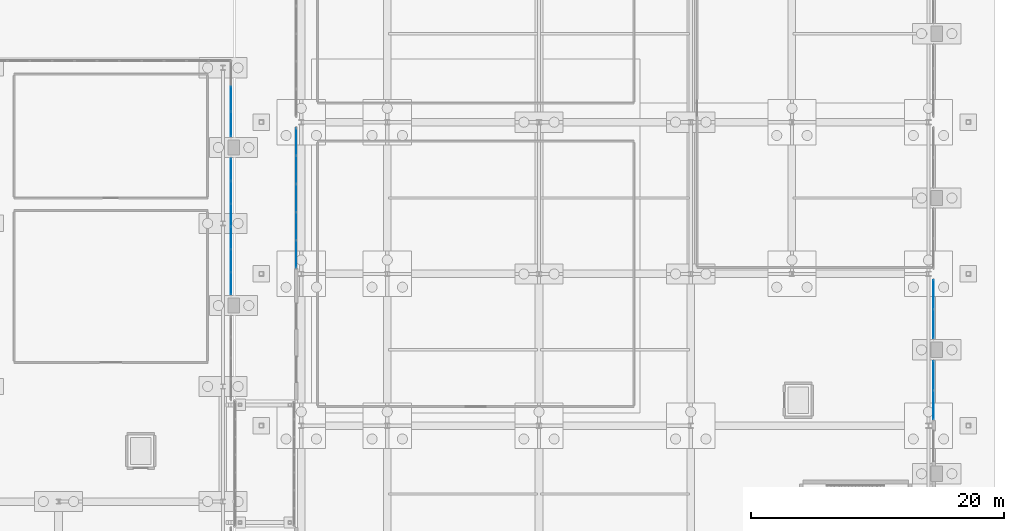
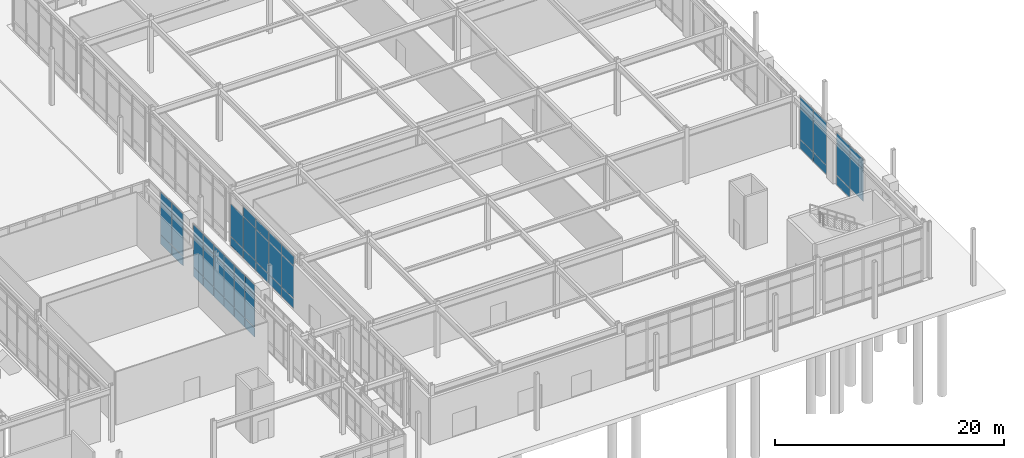
# One storey, part 90 of 143: 49 plates, 5 elements without a shape of their own.
"""IFC4 building model written with IfcOpenShell, lengths in metres."""

from ifc_helpers import new_model, si_unit, derived_unit, direction, frame, origin, origin_2d, place, context, subcontext, project, spatial, rectangle, extrude, material, layer, layer_set, type_object, element, aggregate, save


model = new_model("IFC4")

# Units and contexts
model_context = context("Model", 3, precision=1e-05, world=origin(), true_north=direction((0.0, 1.0)))
body_context = subcontext(model_context, "Body", "Model", "MODEL_VIEW")
ifc_project = project(units=[si_unit("LENGTHUNIT", "METRE"), si_unit("AREAUNIT", "SQUARE_METRE"), si_unit("VOLUMEUNIT", "CUBIC_METRE"), si_unit("PLANEANGLEUNIT", "RADIAN"), si_unit("MASSUNIT", "GRAM", prefix="KILO"), derived_unit("THERMALTRANSMITTANCEUNIT", [(si_unit("MASSUNIT", "GRAM", prefix="KILO"), 1), (si_unit("TIMEUNIT", "SECOND"), -3), (si_unit("THERMODYNAMICTEMPERATUREUNIT", "KELVIN"), -1)])], contexts=[model_context])

# Site, building, storey
site_placement = place(None, origin())
site = spatial("IfcSite", under=ifc_project, at=site_placement, CompositionType="ELEMENT")
building_placement = place(site_placement, origin())
building = spatial("IfcBuilding", under=site, at=building_placement, Name="Valcora Ridge Arena", CompositionType="ELEMENT")
storey_placement = place(building_placement, origin())
storey = spatial("IfcBuildingStorey", under=building, at=storey_placement, Name="L00", CompositionType="ELEMENT", Elevation=0.0)

# Curtain wall, plates
ifc_material_1 = material(Name="Anodised dark bronze architectural aluminium 6063-T6", Category="aluminium")
ifc_layer_1 = layer(ifc_material_1, 0.179931640625, Name="Anodised dark bronze architectural aluminium 6063-T6")
ifc_layer_set_1 = layer_set([ifc_layer_1], Name="Anodised dark bronze architectural aluminium 6063-T6")
curtain_wall_type_1 = type_object("IfcCurtainWallType", Name="TY-CURTAINWALL-CW-V3-LANCET-108X56", PredefinedType="NOTDEFINED", material=ifc_layer_set_1)
curtain_wall_1_placement = place(storey_placement, origin())
curtain_wall_1 = element("IfcCurtainWall", 1, at=curtain_wall_1_placement, inside=storey, type_object=curtain_wall_type_1, Name="CW-V3-LANCET-108X56 CW-0005", PredefinedType="NOTDEFINED")
ifc_material_2 = material(Name="Low-iron solar-control double glazing SHGC 0.28", Category="glass")
ifc_layer_2 = layer(ifc_material_2, 0.031982421875, Name="Low-iron solar-control double glazing SHGC 0.28")
ifc_layer_set_2 = layer_set([ifc_layer_2], Name="Low-iron solar-control double glazing SHGC 0.28")
plate_type_1 = type_object("IfcPlateType", Name="TY-PLT-CWP-1713X0960", PredefinedType="CURTAIN_PANEL", material=ifc_layer_set_2)
plate_1_placement = place(storey_placement, frame((131.64990234375, 27.256591796875, 0.06005859375), z_axis=(0.0, 0.0, 1.0), x_axis=(0.0, 1.0, 0.0)))
plate_1 = element("IfcPlate", 2, at=plate_1_placement, type_object=plate_type_1, Name="CW-0005/P00-00", PredefinedType="CURTAIN_PANEL", context=body_context, shape_type="SweptSolid", body=[
    extrude(rectangle(XDim=1.712890625, YDim=0.031982421875, at=origin_2d()), origin(), (0.0, 0.0, 1.0), 0.9599609375),
])
plate_2_placement = place(storey_placement, frame((131.64990234375, 36.243408203125, 0.06005859375), z_axis=(0.0, 0.0, 1.0), x_axis=(0.0, 1.0, 0.0)))
plate_2 = element("IfcPlate", 3, at=plate_2_placement, type_object=plate_type_1, Name="CW-0005/P05-00", PredefinedType="CURTAIN_PANEL", context=body_context, shape_type="SweptSolid", body=[
    extrude(rectangle(XDim=1.712890625, YDim=0.031982421875, at=origin_2d()), origin(), (0.0, 0.0, 1.0), 0.9599609375),
])
ifc_layer_3 = layer(ifc_material_2, 0.031982421875, Name="Low-iron solar-control double glazing SHGC 0.28")
ifc_layer_set_3 = layer_set([ifc_layer_3], Name="Low-iron solar-control double glazing SHGC 0.28")
plate_type_2 = type_object("IfcPlateType", Name="TY-PLT-CWP-1713X1010", PredefinedType="CURTAIN_PANEL", material=ifc_layer_set_3)
plate_3_placement = place(storey_placement, frame((131.64990234375, 27.256591796875, 4.56982421875), z_axis=(0.0, 0.0, 1.0), x_axis=(0.0, 1.0, 0.0)))
plate_3 = element("IfcPlate", 4, at=plate_3_placement, type_object=plate_type_2, Name="CW-0005/P00-02", PredefinedType="CURTAIN_PANEL", context=body_context, shape_type="SweptSolid", body=[
    extrude(rectangle(XDim=1.712890625, YDim=0.031982421875, at=origin_2d()), origin(), (0.0, 0.0, 1.0), 1.010009765625),
])
plate_4_placement = place(storey_placement, frame((131.64990234375, 36.243408203125, 4.56982421875), z_axis=(0.0, 0.0, 1.0), x_axis=(0.0, 1.0, 0.0)))
plate_4 = element("IfcPlate", 5, at=plate_4_placement, type_object=plate_type_2, Name="CW-0005/P05-02", PredefinedType="CURTAIN_PANEL", context=body_context, shape_type="SweptSolid", body=[
    extrude(rectangle(XDim=1.712890625, YDim=0.031982421875, at=origin_2d()), origin(), (0.0, 0.0, 1.0), 1.010009765625),
])
ifc_layer_4 = layer(ifc_material_2, 0.031982421875, Name="Low-iron solar-control double glazing SHGC 0.28")
ifc_layer_set_4 = layer_set([ifc_layer_4], Name="Low-iron solar-control double glazing SHGC 0.28")
plate_type_3 = type_object("IfcPlateType", Name="TY-PLT-CWP-1713X3430", PredefinedType="CURTAIN_PANEL", material=ifc_layer_set_4)
plate_5_placement = place(storey_placement, frame((131.64990234375, 27.256591796875, 1.080078125), z_axis=(0.0, 0.0, 1.0), x_axis=(0.0, 1.0, 0.0)))
plate_5 = element("IfcPlate", 6, at=plate_5_placement, type_object=plate_type_3, Name="CW-0005/P00-01", PredefinedType="CURTAIN_PANEL", context=body_context, shape_type="SweptSolid", body=[
    extrude(rectangle(XDim=1.712890625, YDim=0.031982421875, at=origin_2d()), origin(), (0.0, 0.0, 1.0), 3.429931640625),
])
plate_6_placement = place(storey_placement, frame((131.64990234375, 36.243408203125, 1.080078125), z_axis=(0.0, 0.0, 1.0), x_axis=(0.0, 1.0, 0.0)))
plate_6 = element("IfcPlate", 7, at=plate_6_placement, type_object=plate_type_3, Name="CW-0005/P05-01", PredefinedType="CURTAIN_PANEL", context=body_context, shape_type="SweptSolid", body=[
    extrude(rectangle(XDim=1.712890625, YDim=0.031982421875, at=origin_2d()), origin(), (0.0, 0.0, 1.0), 3.429931640625),
])
ifc_layer_5 = layer(ifc_material_2, 0.031982421875, Name="Low-iron solar-control double glazing SHGC 0.28")
ifc_layer_set_5 = layer_set([ifc_layer_5], Name="Low-iron solar-control double glazing SHGC 0.28")
plate_type_4 = type_object("IfcPlateType", Name="TY-PLT-CWP-1743X0960", PredefinedType="CURTAIN_PANEL", material=ifc_layer_set_5)
plate_7_placement = place(storey_placement, frame((131.64990234375, 30.848388671875, 0.06005859375), z_axis=(0.0, 0.0, 1.0), x_axis=(0.0, 1.0, 0.0)))
plate_7 = element("IfcPlate", 8, at=plate_7_placement, type_object=plate_type_4, Name="CW-0005/P02-00", PredefinedType="CURTAIN_PANEL", context=body_context, shape_type="SweptSolid", body=[
    extrude(rectangle(XDim=1.742919921875, YDim=0.031982421875, at=origin_2d()), origin(), (0.0, 0.0, 1.0), 0.9599609375),
])
plate_8_placement = place(storey_placement, frame((131.64990234375, 32.651611328125, 0.06005859375), z_axis=(0.0, 0.0, 1.0), x_axis=(0.0, 1.0, 0.0)))
plate_8 = element("IfcPlate", 9, at=plate_8_placement, type_object=plate_type_4, Name="CW-0005/P03-00", PredefinedType="CURTAIN_PANEL", context=body_context, shape_type="SweptSolid", body=[
    extrude(rectangle(XDim=1.742919921875, YDim=0.031982421875, at=origin_2d()), origin(), (0.0, 0.0, 1.0), 0.9599609375),
])
ifc_layer_6 = layer(ifc_material_2, 0.031982421875, Name="Low-iron solar-control double glazing SHGC 0.28")
ifc_layer_set_6 = layer_set([ifc_layer_6], Name="Low-iron solar-control double glazing SHGC 0.28")
plate_type_5 = type_object("IfcPlateType", Name="TY-PLT-CWP-1743X1010", PredefinedType="CURTAIN_PANEL", material=ifc_layer_set_6)
plate_9_placement = place(storey_placement, frame((131.64990234375, 30.848388671875, 4.56982421875), z_axis=(0.0, 0.0, 1.0), x_axis=(0.0, 1.0, 0.0)))
plate_9 = element("IfcPlate", 10, at=plate_9_placement, type_object=plate_type_5, Name="CW-0005/P02-02", PredefinedType="CURTAIN_PANEL", context=body_context, shape_type="SweptSolid", body=[
    extrude(rectangle(XDim=1.742919921875, YDim=0.031982421875, at=origin_2d()), origin(), (0.0, 0.0, 1.0), 1.010009765625),
])
plate_10_placement = place(storey_placement, frame((131.64990234375, 32.651611328125, 4.56982421875), z_axis=(0.0, 0.0, 1.0), x_axis=(0.0, 1.0, 0.0)))
plate_10 = element("IfcPlate", 11, at=plate_10_placement, type_object=plate_type_5, Name="CW-0005/P03-02", PredefinedType="CURTAIN_PANEL", context=body_context, shape_type="SweptSolid", body=[
    extrude(rectangle(XDim=1.742919921875, YDim=0.031982421875, at=origin_2d()), origin(), (0.0, 0.0, 1.0), 1.010009765625),
])
ifc_layer_7 = layer(ifc_material_2, 0.031982421875, Name="Low-iron solar-control double glazing SHGC 0.28")
ifc_layer_set_7 = layer_set([ifc_layer_7], Name="Low-iron solar-control double glazing SHGC 0.28")
plate_type_6 = type_object("IfcPlateType", Name="TY-PLT-CWP-1743X3430", PredefinedType="CURTAIN_PANEL", material=ifc_layer_set_7)
plate_11_placement = place(storey_placement, frame((131.64990234375, 30.848388671875, 1.080078125), z_axis=(0.0, 0.0, 1.0), x_axis=(0.0, 1.0, 0.0)))
plate_11 = element("IfcPlate", 12, at=plate_11_placement, type_object=plate_type_6, Name="CW-0005/P02-01", PredefinedType="CURTAIN_PANEL", context=body_context, shape_type="SweptSolid", body=[
    extrude(rectangle(XDim=1.742919921875, YDim=0.031982421875, at=origin_2d()), origin(), (0.0, 0.0, 1.0), 3.429931640625),
])
plate_12_placement = place(storey_placement, frame((131.64990234375, 32.651611328125, 1.080078125), z_axis=(0.0, 0.0, 1.0), x_axis=(0.0, 1.0, 0.0)))
plate_12 = element("IfcPlate", 13, at=plate_12_placement, type_object=plate_type_6, Name="CW-0005/P03-01", PredefinedType="CURTAIN_PANEL", context=body_context, shape_type="SweptSolid", body=[
    extrude(rectangle(XDim=1.742919921875, YDim=0.031982421875, at=origin_2d()), origin(), (0.0, 0.0, 1.0), 3.429931640625),
])
ifc_layer_8 = layer(ifc_material_2, 0.031982421875, Name="Low-iron solar-control double glazing SHGC 0.28")
ifc_layer_set_8 = layer_set([ifc_layer_8], Name="Low-iron solar-control double glazing SHGC 0.28")
plate_type_7 = type_object("IfcPlateType", Name="TY-PLT-CWP-1744X0960", PredefinedType="CURTAIN_PANEL", material=ifc_layer_set_8)
plate_13_placement = place(storey_placement, frame((131.64990234375, 29.044921875, 0.06005859375), z_axis=(0.0, 0.0, 1.0), x_axis=(0.0, 1.0, 0.0)))
plate_13 = element("IfcPlate", 14, at=plate_13_placement, type_object=plate_type_7, Name="CW-0005/P01-00", PredefinedType="CURTAIN_PANEL", context=body_context, shape_type="SweptSolid", body=[
    extrude(rectangle(XDim=1.743896484375, YDim=0.031982421875, at=origin_2d()), origin(), (0.0, 0.0, 1.0), 0.9599609375),
])
plate_14_placement = place(storey_placement, frame((131.64990234375, 34.455078125, 0.06005859375), z_axis=(0.0, 0.0, 1.0), x_axis=(0.0, 1.0, 0.0)))
plate_14 = element("IfcPlate", 15, at=plate_14_placement, type_object=plate_type_7, Name="CW-0005/P04-00", PredefinedType="CURTAIN_PANEL", context=body_context, shape_type="SweptSolid", body=[
    extrude(rectangle(XDim=1.743896484375, YDim=0.031982421875, at=origin_2d()), origin(), (0.0, 0.0, 1.0), 0.9599609375),
])
ifc_layer_9 = layer(ifc_material_2, 0.031982421875, Name="Low-iron solar-control double glazing SHGC 0.28")
ifc_layer_set_9 = layer_set([ifc_layer_9], Name="Low-iron solar-control double glazing SHGC 0.28")
plate_type_8 = type_object("IfcPlateType", Name="TY-PLT-CWP-1744X1010", PredefinedType="CURTAIN_PANEL", material=ifc_layer_set_9)
plate_15_placement = place(storey_placement, frame((131.64990234375, 29.044921875, 4.56982421875), z_axis=(0.0, 0.0, 1.0), x_axis=(0.0, 1.0, 0.0)))
plate_15 = element("IfcPlate", 16, at=plate_15_placement, type_object=plate_type_8, Name="CW-0005/P01-02", PredefinedType="CURTAIN_PANEL", context=body_context, shape_type="SweptSolid", body=[
    extrude(rectangle(XDim=1.743896484375, YDim=0.031982421875, at=origin_2d()), origin(), (0.0, 0.0, 1.0), 1.010009765625),
])
plate_16_placement = place(storey_placement, frame((131.64990234375, 34.455078125, 4.56982421875), z_axis=(0.0, 0.0, 1.0), x_axis=(0.0, 1.0, 0.0)))
plate_16 = element("IfcPlate", 17, at=plate_16_placement, type_object=plate_type_8, Name="CW-0005/P04-02", PredefinedType="CURTAIN_PANEL", context=body_context, shape_type="SweptSolid", body=[
    extrude(rectangle(XDim=1.743896484375, YDim=0.031982421875, at=origin_2d()), origin(), (0.0, 0.0, 1.0), 1.010009765625),
])
ifc_layer_10 = layer(ifc_material_2, 0.031982421875, Name="Low-iron solar-control double glazing SHGC 0.28")
ifc_layer_set_10 = layer_set([ifc_layer_10], Name="Low-iron solar-control double glazing SHGC 0.28")
plate_type_9 = type_object("IfcPlateType", Name="TY-PLT-CWP-1744X3430", PredefinedType="CURTAIN_PANEL", material=ifc_layer_set_10)
plate_17_placement = place(storey_placement, frame((131.64990234375, 29.044921875, 1.080078125), z_axis=(0.0, 0.0, 1.0), x_axis=(0.0, 1.0, 0.0)))
plate_17 = element("IfcPlate", 18, at=plate_17_placement, type_object=plate_type_9, Name="CW-0005/P01-01", PredefinedType="CURTAIN_PANEL", context=body_context, shape_type="SweptSolid", body=[
    extrude(rectangle(XDim=1.743896484375, YDim=0.031982421875, at=origin_2d()), origin(), (0.0, 0.0, 1.0), 3.429931640625),
])
plate_18_placement = place(storey_placement, frame((131.64990234375, 34.455078125, 1.080078125), z_axis=(0.0, 0.0, 1.0), x_axis=(0.0, 1.0, 0.0)))
plate_18 = element("IfcPlate", 19, at=plate_18_placement, type_object=plate_type_9, Name="CW-0005/P04-01", PredefinedType="CURTAIN_PANEL", context=body_context, shape_type="SweptSolid", body=[
    extrude(rectangle(XDim=1.743896484375, YDim=0.031982421875, at=origin_2d()), origin(), (0.0, 0.0, 1.0), 3.429931640625),
])
aggregate(curtain_wall_1, [plate_1, plate_5, plate_3, plate_13, plate_17, plate_15, plate_7, plate_11, plate_9, plate_8, plate_12, plate_10, plate_14, plate_18, plate_16, plate_2, plate_6, plate_4])

ifc_layer_11 = layer(ifc_material_1, 0.179931640625, Name="Anodised dark bronze architectural aluminium 6063-T6")
ifc_layer_set_11 = layer_set([ifc_layer_11], Name="Anodised dark bronze architectural aluminium 6063-T6")
curtain_wall_type_2 = type_object("IfcCurtainWallType", Name="TY-CURTAINWALL-CW-V3-LANCET-060X56", PredefinedType="NOTDEFINED", material=ifc_layer_set_11)
curtain_wall_2_placement = place(storey_placement, origin())
curtain_wall_2 = element("IfcCurtainWall", 20, at=curtain_wall_2_placement, inside=storey, type_object=curtain_wall_type_2, Name="CW-V3-LANCET-060X56 CW-0006", PredefinedType="NOTDEFINED")
ifc_layer_12 = layer(ifc_material_2, 0.031982421875, Name="Low-iron solar-control double glazing SHGC 0.28")
ifc_layer_set_12 = layer_set([ifc_layer_12], Name="Low-iron solar-control double glazing SHGC 0.28")
plate_type_10 = type_object("IfcPlateType", Name="TY-PLT-CWP-1913X0960", PredefinedType="CURTAIN_PANEL", material=ifc_layer_set_12)
plate_19_placement = place(storey_placement, frame((131.64990234375, 39.8564453125, 0.06005859375), z_axis=(0.0, 0.0, 1.0), x_axis=(0.0, 1.0, 0.0)))
plate_19 = element("IfcPlate", 21, at=plate_19_placement, type_object=plate_type_10, Name="CW-0006/P00-00", PredefinedType="CURTAIN_PANEL", context=body_context, shape_type="SweptSolid", body=[
    extrude(rectangle(XDim=1.9130859375, YDim=0.031982421875, at=origin_2d()), origin(), (0.0, 0.0, 1.0), 0.9599609375),
])
ifc_layer_13 = layer(ifc_material_2, 0.031982421875, Name="Low-iron solar-control double glazing SHGC 0.28")
ifc_layer_set_13 = layer_set([ifc_layer_13], Name="Low-iron solar-control double glazing SHGC 0.28")
plate_type_11 = type_object("IfcPlateType", Name="TY-PLT-CWP-1913X1010", PredefinedType="CURTAIN_PANEL", material=ifc_layer_set_13)
plate_20_placement = place(storey_placement, frame((131.64990234375, 39.8564453125, 4.56982421875), z_axis=(0.0, 0.0, 1.0), x_axis=(0.0, 1.0, 0.0)))
plate_20 = element("IfcPlate", 22, at=plate_20_placement, type_object=plate_type_11, Name="CW-0006/P00-02", PredefinedType="CURTAIN_PANEL", context=body_context, shape_type="SweptSolid", body=[
    extrude(rectangle(XDim=1.9130859375, YDim=0.031982421875, at=origin_2d()), origin(), (0.0, 0.0, 1.0), 1.010009765625),
])
ifc_layer_14 = layer(ifc_material_2, 0.031982421875, Name="Low-iron solar-control double glazing SHGC 0.28")
ifc_layer_set_14 = layer_set([ifc_layer_14], Name="Low-iron solar-control double glazing SHGC 0.28")
plate_type_12 = type_object("IfcPlateType", Name="TY-PLT-CWP-1913X3430", PredefinedType="CURTAIN_PANEL", material=ifc_layer_set_14)
plate_21_placement = place(storey_placement, frame((131.64990234375, 39.8564453125, 1.080078125), z_axis=(0.0, 0.0, 1.0), x_axis=(0.0, 1.0, 0.0)))
plate_21 = element("IfcPlate", 23, at=plate_21_placement, type_object=plate_type_12, Name="CW-0006/P00-01", PredefinedType="CURTAIN_PANEL", context=body_context, shape_type="SweptSolid", body=[
    extrude(rectangle(XDim=1.9130859375, YDim=0.031982421875, at=origin_2d()), origin(), (0.0, 0.0, 1.0), 3.429931640625),
])
ifc_layer_15 = layer(ifc_material_2, 0.031982421875, Name="Low-iron solar-control double glazing SHGC 0.28")
ifc_layer_set_15 = layer_set([ifc_layer_15], Name="Low-iron solar-control double glazing SHGC 0.28")
plate_type_13 = type_object("IfcPlateType", Name="TY-PLT-CWP-1944X0960", PredefinedType="CURTAIN_PANEL", material=ifc_layer_set_15)
plate_22_placement = place(storey_placement, frame((131.64990234375, 41.844970703125, 0.06005859375), z_axis=(0.0, 0.0, 1.0), x_axis=(0.0, 1.0, 0.0)))
plate_22 = element("IfcPlate", 24, at=plate_22_placement, type_object=plate_type_13, Name="CW-0006/P01-00", PredefinedType="CURTAIN_PANEL", context=body_context, shape_type="SweptSolid", body=[
    extrude(rectangle(XDim=1.944091796875, YDim=0.031982421875, at=origin_2d()), origin(), (0.0, 0.0, 1.0), 0.9599609375),
])
ifc_layer_16 = layer(ifc_material_2, 0.031982421875, Name="Low-iron solar-control double glazing SHGC 0.28")
ifc_layer_set_16 = layer_set([ifc_layer_16], Name="Low-iron solar-control double glazing SHGC 0.28")
plate_type_14 = type_object("IfcPlateType", Name="TY-PLT-CWP-1944X1010", PredefinedType="CURTAIN_PANEL", material=ifc_layer_set_16)
plate_23_placement = place(storey_placement, frame((131.64990234375, 41.844970703125, 4.56982421875), z_axis=(0.0, 0.0, 1.0), x_axis=(0.0, 1.0, 0.0)))
plate_23 = element("IfcPlate", 25, at=plate_23_placement, type_object=plate_type_14, Name="CW-0006/P01-02", PredefinedType="CURTAIN_PANEL", context=body_context, shape_type="SweptSolid", body=[
    extrude(rectangle(XDim=1.944091796875, YDim=0.031982421875, at=origin_2d()), origin(), (0.0, 0.0, 1.0), 1.010009765625),
])
ifc_layer_17 = layer(ifc_material_2, 0.031982421875, Name="Low-iron solar-control double glazing SHGC 0.28")
ifc_layer_set_17 = layer_set([ifc_layer_17], Name="Low-iron solar-control double glazing SHGC 0.28")
plate_type_15 = type_object("IfcPlateType", Name="TY-PLT-CWP-1944X3430", PredefinedType="CURTAIN_PANEL", material=ifc_layer_set_17)
plate_24_placement = place(storey_placement, frame((131.64990234375, 41.844970703125, 1.080078125), z_axis=(0.0, 0.0, 1.0), x_axis=(0.0, 1.0, 0.0)))
plate_24 = element("IfcPlate", 26, at=plate_24_placement, type_object=plate_type_15, Name="CW-0006/P01-01", PredefinedType="CURTAIN_PANEL", context=body_context, shape_type="SweptSolid", body=[
    extrude(rectangle(XDim=1.944091796875, YDim=0.031982421875, at=origin_2d()), origin(), (0.0, 0.0, 1.0), 3.429931640625),
])
aggregate(curtain_wall_2, [plate_19, plate_21, plate_20, plate_22, plate_24, plate_23])

ifc_layer_18 = layer(ifc_material_1, 0.179931640625, Name="Anodised dark bronze architectural aluminium 6063-T6")
ifc_layer_set_18 = layer_set([ifc_layer_18], Name="Anodised dark bronze architectural aluminium 6063-T6")
curtain_wall_type_3 = type_object("IfcCurtainWallType", Name="TY-CURTAINWALL-CW-V2-GLAZ-111X56", PredefinedType="NOTDEFINED", material=ifc_layer_set_18)
curtain_wall_3_placement = place(storey_placement, origin())
curtain_wall_3 = element("IfcCurtainWall", 27, at=curtain_wall_3_placement, inside=storey, type_object=curtain_wall_type_3, Name="CW-V2-GLAZ-111X56 CW-0021", PredefinedType="NOTDEFINED")
ifc_layer_19 = layer(ifc_material_2, 0.028076171875, Name="Low-iron solar-control double glazing SHGC 0.28")
ifc_layer_set_19 = layer_set([ifc_layer_19], Name="Low-iron solar-control double glazing SHGC 0.28")
plate_type_16 = type_object("IfcPlateType", Name="TY-PLT-CWP-2137X0975", PredefinedType="CURTAIN_PANEL", material=ifc_layer_set_19)
plate_25_placement = place(storey_placement, frame((136.800048828125, 29.5615234375, 0.050048828125), z_axis=(0.0, 0.0, 1.0), x_axis=(0.0, 1.0, 0.0)))
plate_25 = element("IfcPlate", 28, at=plate_25_placement, type_object=plate_type_16, Name="CW-0021/P00-00", PredefinedType="CURTAIN_PANEL", context=body_context, shape_type="SweptSolid", body=[
    extrude(rectangle(XDim=2.136962890625, YDim=0.028076171875, at=origin_2d()), origin(), (0.0, 0.0, 1.0), 0.97509765625),
])
plate_26_placement = place(storey_placement, frame((136.800048828125, 38.4384765625, 0.050048828125), z_axis=(0.0, 0.0, 1.0), x_axis=(0.0, 1.0, 0.0)))
plate_26 = element("IfcPlate", 29, at=plate_26_placement, type_object=plate_type_16, Name="CW-0021/P04-00", PredefinedType="CURTAIN_PANEL", context=body_context, shape_type="SweptSolid", body=[
    extrude(rectangle(XDim=2.136962890625, YDim=0.028076171875, at=origin_2d()), origin(), (0.0, 0.0, 1.0), 0.97509765625),
])
ifc_layer_20 = layer(ifc_material_2, 0.028076171875, Name="Low-iron solar-control double glazing SHGC 0.28")
ifc_layer_set_20 = layer_set([ifc_layer_20], Name="Low-iron solar-control double glazing SHGC 0.28")
plate_type_17 = type_object("IfcPlateType", Name="TY-PLT-CWP-2137X1025", PredefinedType="CURTAIN_PANEL", material=ifc_layer_set_20)
plate_27_placement = place(storey_placement, frame((136.800048828125, 29.5615234375, 4.545166015625), z_axis=(0.0, 0.0, 1.0), x_axis=(0.0, 1.0, 0.0)))
plate_27 = element("IfcPlate", 30, at=plate_27_placement, type_object=plate_type_17, Name="CW-0021/P00-02", PredefinedType="CURTAIN_PANEL", context=body_context, shape_type="SweptSolid", body=[
    extrude(rectangle(XDim=2.136962890625, YDim=0.028076171875, at=origin_2d()), origin(), (0.0, 0.0, 1.0), 1.02490234375),
])
ifc_layer_21 = layer(ifc_material_2, 0.028076171875, Name="Low-iron solar-control double glazing SHGC 0.28")
ifc_layer_set_21 = layer_set([ifc_layer_21], Name="Low-iron solar-control double glazing SHGC 0.28")
plate_type_18 = type_object("IfcPlateType", Name="TY-PLT-CWP-2137X3420", PredefinedType="CURTAIN_PANEL", material=ifc_layer_set_21)
plate_28_placement = place(storey_placement, frame((136.800048828125, 29.5615234375, 1.074951171875), z_axis=(0.0, 0.0, 1.0), x_axis=(0.0, 1.0, 0.0)))
plate_28 = element("IfcPlate", 31, at=plate_28_placement, type_object=plate_type_18, Name="CW-0021/P00-01", PredefinedType="CURTAIN_PANEL", context=body_context, shape_type="SweptSolid", body=[
    extrude(rectangle(XDim=2.136962890625, YDim=0.028076171875, at=origin_2d()), origin(), (0.0, 0.0, 1.0), 3.419921875),
])
plate_29_placement = place(storey_placement, frame((136.800048828125, 38.4384765625, 1.074951171875), z_axis=(0.0, 0.0, 1.0), x_axis=(0.0, 1.0, 0.0)))
plate_29 = element("IfcPlate", 32, at=plate_29_placement, type_object=plate_type_18, Name="CW-0021/P04-01", PredefinedType="CURTAIN_PANEL", context=body_context, shape_type="SweptSolid", body=[
    extrude(rectangle(XDim=2.136962890625, YDim=0.028076171875, at=origin_2d()), origin(), (0.0, 0.0, 1.0), 3.419921875),
])
ifc_layer_22 = layer(ifc_material_2, 0.028076171875, Name="Low-iron solar-control double glazing SHGC 0.28")
ifc_layer_set_22 = layer_set([ifc_layer_22], Name="Low-iron solar-control double glazing SHGC 0.28")
plate_type_19 = type_object("IfcPlateType", Name="TY-PLT-CWP-2166X0975", PredefinedType="CURTAIN_PANEL", material=ifc_layer_set_22)
plate_30_placement = place(storey_placement, frame((136.800048828125, 34.0, 0.050048828125), z_axis=(0.0, 0.0, 1.0), x_axis=(0.0, 1.0, 0.0)))
plate_30 = element("IfcPlate", 33, at=plate_30_placement, type_object=plate_type_19, Name="CW-0021/P02-00", PredefinedType="CURTAIN_PANEL", context=body_context, shape_type="SweptSolid", body=[
    extrude(rectangle(XDim=2.166015625, YDim=0.028076171875, at=origin_2d()), origin(), (0.0, 0.0, 1.0), 0.97509765625),
])
ifc_layer_23 = layer(ifc_material_2, 0.028076171875, Name="Low-iron solar-control double glazing SHGC 0.28")
ifc_layer_set_23 = layer_set([ifc_layer_23], Name="Low-iron solar-control double glazing SHGC 0.28")
plate_type_20 = type_object("IfcPlateType", Name="TY-PLT-CWP-2166X1025", PredefinedType="CURTAIN_PANEL", material=ifc_layer_set_23)
plate_31_placement = place(storey_placement, frame((136.800048828125, 34.0, 4.545166015625), z_axis=(0.0, 0.0, 1.0), x_axis=(0.0, 1.0, 0.0)))
plate_31 = element("IfcPlate", 34, at=plate_31_placement, type_object=plate_type_20, Name="CW-0021/P02-02", PredefinedType="CURTAIN_PANEL", context=body_context, shape_type="SweptSolid", body=[
    extrude(rectangle(XDim=2.166015625, YDim=0.028076171875, at=origin_2d()), origin(), (0.0, 0.0, 1.0), 1.02490234375),
])
ifc_layer_24 = layer(ifc_material_2, 0.028076171875, Name="Low-iron solar-control double glazing SHGC 0.28")
ifc_layer_set_24 = layer_set([ifc_layer_24], Name="Low-iron solar-control double glazing SHGC 0.28")
plate_type_21 = type_object("IfcPlateType", Name="TY-PLT-CWP-2166X3420", PredefinedType="CURTAIN_PANEL", material=ifc_layer_set_24)
plate_32_placement = place(storey_placement, frame((136.800048828125, 34.0, 1.074951171875), z_axis=(0.0, 0.0, 1.0), x_axis=(0.0, 1.0, 0.0)))
plate_32 = element("IfcPlate", 35, at=plate_32_placement, type_object=plate_type_21, Name="CW-0021/P02-01", PredefinedType="CURTAIN_PANEL", context=body_context, shape_type="SweptSolid", body=[
    extrude(rectangle(XDim=2.166015625, YDim=0.028076171875, at=origin_2d()), origin(), (0.0, 0.0, 1.0), 3.419921875),
])
ifc_layer_25 = layer(ifc_material_2, 0.028076171875, Name="Low-iron solar-control double glazing SHGC 0.28")
ifc_layer_set_25 = layer_set([ifc_layer_25], Name="Low-iron solar-control double glazing SHGC 0.28")
plate_type_22 = type_object("IfcPlateType", Name="TY-PLT-CWP-2167X0975", PredefinedType="CURTAIN_PANEL", material=ifc_layer_set_25)
plate_33_placement = place(storey_placement, frame((136.800048828125, 31.7734375, 0.050048828125), z_axis=(0.0, 0.0, 1.0), x_axis=(0.0, 1.0, 0.0)))
plate_33 = element("IfcPlate", 36, at=plate_33_placement, type_object=plate_type_22, Name="CW-0021/P01-00", PredefinedType="CURTAIN_PANEL", context=body_context, shape_type="SweptSolid", body=[
    extrude(rectangle(XDim=2.1669921875, YDim=0.028076171875, at=origin_2d()), origin(), (0.0, 0.0, 1.0), 0.97509765625),
])
plate_34_placement = place(storey_placement, frame((136.800048828125, 36.2265625, 0.050048828125), z_axis=(0.0, 0.0, 1.0), x_axis=(0.0, 1.0, 0.0)))
plate_34 = element("IfcPlate", 37, at=plate_34_placement, type_object=plate_type_22, Name="CW-0021/P03-00", PredefinedType="CURTAIN_PANEL", context=body_context, shape_type="SweptSolid", body=[
    extrude(rectangle(XDim=2.1669921875, YDim=0.028076171875, at=origin_2d()), origin(), (0.0, 0.0, 1.0), 0.97509765625),
])
ifc_layer_26 = layer(ifc_material_2, 0.028076171875, Name="Low-iron solar-control double glazing SHGC 0.28")
ifc_layer_set_26 = layer_set([ifc_layer_26], Name="Low-iron solar-control double glazing SHGC 0.28")
plate_type_23 = type_object("IfcPlateType", Name="TY-PLT-CWP-2167X1025", PredefinedType="CURTAIN_PANEL", material=ifc_layer_set_26)
plate_35_placement = place(storey_placement, frame((136.800048828125, 31.7734375, 4.545166015625), z_axis=(0.0, 0.0, 1.0), x_axis=(0.0, 1.0, 0.0)))
plate_35 = element("IfcPlate", 38, at=plate_35_placement, type_object=plate_type_23, Name="CW-0021/P01-02", PredefinedType="CURTAIN_PANEL", context=body_context, shape_type="SweptSolid", body=[
    extrude(rectangle(XDim=2.1669921875, YDim=0.028076171875, at=origin_2d()), origin(), (0.0, 0.0, 1.0), 1.02490234375),
])
plate_36_placement = place(storey_placement, frame((136.800048828125, 36.2265625, 4.545166015625), z_axis=(0.0, 0.0, 1.0), x_axis=(0.0, 1.0, 0.0)))
plate_36 = element("IfcPlate", 39, at=plate_36_placement, type_object=plate_type_23, Name="CW-0021/P03-02", PredefinedType="CURTAIN_PANEL", context=body_context, shape_type="SweptSolid", body=[
    extrude(rectangle(XDim=2.1669921875, YDim=0.028076171875, at=origin_2d()), origin(), (0.0, 0.0, 1.0), 1.02490234375),
])
ifc_layer_27 = layer(ifc_material_2, 0.028076171875, Name="Low-iron solar-control double glazing SHGC 0.28")
ifc_layer_set_27 = layer_set([ifc_layer_27], Name="Low-iron solar-control double glazing SHGC 0.28")
plate_type_24 = type_object("IfcPlateType", Name="TY-PLT-CWP-2167X3420", PredefinedType="CURTAIN_PANEL", material=ifc_layer_set_27)
plate_37_placement = place(storey_placement, frame((136.800048828125, 31.7734375, 1.074951171875), z_axis=(0.0, 0.0, 1.0), x_axis=(0.0, 1.0, 0.0)))
plate_37 = element("IfcPlate", 40, at=plate_37_placement, type_object=plate_type_24, Name="CW-0021/P01-01", PredefinedType="CURTAIN_PANEL", context=body_context, shape_type="SweptSolid", body=[
    extrude(rectangle(XDim=2.1669921875, YDim=0.028076171875, at=origin_2d()), origin(), (0.0, 0.0, 1.0), 3.419921875),
])
plate_38_placement = place(storey_placement, frame((136.800048828125, 36.2265625, 1.074951171875), z_axis=(0.0, 0.0, 1.0), x_axis=(0.0, 1.0, 0.0)))
plate_38 = element("IfcPlate", 41, at=plate_38_placement, type_object=plate_type_24, Name="CW-0021/P03-01", PredefinedType="CURTAIN_PANEL", context=body_context, shape_type="SweptSolid", body=[
    extrude(rectangle(XDim=2.1669921875, YDim=0.028076171875, at=origin_2d()), origin(), (0.0, 0.0, 1.0), 3.419921875),
])
aggregate(curtain_wall_3, [plate_25, plate_28, plate_27, plate_33, plate_37, plate_35, plate_30, plate_32, plate_31, plate_34, plate_38, plate_36, plate_26, plate_29])

# Curtain wall, plate
ifc_layer_28 = layer(ifc_material_1, 0.179931640625, Name="Anodised dark bronze architectural aluminium 6063-T6")
ifc_layer_set_28 = layer_set([ifc_layer_28], Name="Anodised dark bronze architectural aluminium 6063-T6")
curtain_wall_type_4 = type_object("IfcCurtainWallType", Name="TY-CURTAINWALL-CW-V2-GLAZ-047X56", PredefinedType="NOTDEFINED", material=ifc_layer_set_28)
curtain_wall_4_placement = place(storey_placement, origin())
curtain_wall_4 = element("IfcCurtainWall", 42, at=curtain_wall_4_placement, inside=storey, type_object=curtain_wall_type_4, Name="CW-V2-GLAZ-047X56 CW-0028", PredefinedType="NOTDEFINED")
ifc_layer_29 = layer(ifc_material_2, 0.028076171875, Name="Low-iron solar-control double glazing SHGC 0.28")
ifc_layer_set_29 = layer_set([ifc_layer_29], Name="Low-iron solar-control double glazing SHGC 0.28")
plate_type_25 = type_object("IfcPlateType", Name="TY-PLT-CWP-2274X0975", PredefinedType="CURTAIN_PANEL", material=ifc_layer_set_29)
plate_39_placement = place(storey_placement, frame((187.199951171875, 19.962890625, 0.050048828125), z_axis=(0.0, 0.0, 1.0), x_axis=(0.0, 1.0, 0.0)))
plate_39 = element("IfcPlate", 43, at=plate_39_placement, type_object=plate_type_25, Name="CW-0028/P01-00", PredefinedType="CURTAIN_PANEL", context=body_context, shape_type="SweptSolid", body=[
    extrude(rectangle(XDim=2.27392578125, YDim=0.028076171875, at=origin_2d()), origin(), (0.0, 0.0, 1.0), 0.97509765625),
])

# Curtain wall, plates
curtain_wall_5_placement = place(storey_placement, origin())
curtain_wall_5 = element("IfcCurtainWall", 44, at=curtain_wall_5_placement, inside=storey, type_object=curtain_wall_type_4, Name="CW-V2-GLAZ-047X56 CW-0029", PredefinedType="NOTDEFINED")
plate_40_placement = place(storey_placement, frame((187.199951171875, 24.037109375, 0.050048828125), z_axis=(0.0, 0.0, 1.0), x_axis=(0.0, 1.0, 0.0)))
plate_40 = element("IfcPlate", 45, at=plate_40_placement, type_object=plate_type_25, Name="CW-0029/P00-00", PredefinedType="CURTAIN_PANEL", context=body_context, shape_type="SweptSolid", body=[
    extrude(rectangle(XDim=2.27392578125, YDim=0.028076171875, at=origin_2d()), origin(), (0.0, 0.0, 1.0), 0.97509765625),
])
plate_41_placement = place(storey_placement, frame((187.199951171875, 26.3701171875, 0.050048828125), z_axis=(0.0, 0.0, 1.0), x_axis=(0.0, 1.0, 0.0)))
plate_41 = element("IfcPlate", 46, at=plate_41_placement, type_object=plate_type_25, Name="CW-0029/P01-00", PredefinedType="CURTAIN_PANEL", context=body_context, shape_type="SweptSolid", body=[
    extrude(rectangle(XDim=2.27392578125, YDim=0.028076171875, at=origin_2d()), origin(), (0.0, 0.0, 1.0), 0.97509765625),
])

# Plate
ifc_layer_30 = layer(ifc_material_2, 0.028076171875, Name="Low-iron solar-control double glazing SHGC 0.28")
ifc_layer_set_30 = layer_set([ifc_layer_30], Name="Low-iron solar-control double glazing SHGC 0.28")
plate_type_26 = type_object("IfcPlateType", Name="TY-PLT-CWP-2274X1025", PredefinedType="CURTAIN_PANEL", material=ifc_layer_set_30)
plate_42_placement = place(storey_placement, frame((187.199951171875, 17.6298828125, 4.545166015625), z_axis=(0.0, 0.0, 1.0), x_axis=(0.0, 1.0, 0.0)))
plate_42 = element("IfcPlate", 47, at=plate_42_placement, type_object=plate_type_26, Name="CW-0028/P00-02", PredefinedType="CURTAIN_PANEL", context=body_context, shape_type="SweptSolid", body=[
    extrude(rectangle(XDim=2.27392578125, YDim=0.028076171875, at=origin_2d()), origin(), (0.0, 0.0, 1.0), 1.02490234375),
])

plate_43_placement = place(storey_placement, frame((187.199951171875, 19.962890625, 4.545166015625), z_axis=(0.0, 0.0, 1.0), x_axis=(0.0, 1.0, 0.0)))
plate_43 = element("IfcPlate", 48, at=plate_43_placement, type_object=plate_type_26, Name="CW-0028/P01-02", PredefinedType="CURTAIN_PANEL", context=body_context, shape_type="SweptSolid", body=[
    extrude(rectangle(XDim=2.27392578125, YDim=0.028076171875, at=origin_2d()), origin(), (0.0, 0.0, 1.0), 1.02490234375),
])

plate_44_placement = place(storey_placement, frame((187.199951171875, 24.037109375, 4.545166015625), z_axis=(0.0, 0.0, 1.0), x_axis=(0.0, 1.0, 0.0)))
plate_44 = element("IfcPlate", 49, at=plate_44_placement, type_object=plate_type_26, Name="CW-0029/P00-02", PredefinedType="CURTAIN_PANEL", context=body_context, shape_type="SweptSolid", body=[
    extrude(rectangle(XDim=2.27392578125, YDim=0.028076171875, at=origin_2d()), origin(), (0.0, 0.0, 1.0), 1.02490234375),
])

plate_45_placement = place(storey_placement, frame((187.199951171875, 26.3701171875, 4.545166015625), z_axis=(0.0, 0.0, 1.0), x_axis=(0.0, 1.0, 0.0)))
plate_45 = element("IfcPlate", 50, at=plate_45_placement, type_object=plate_type_26, Name="CW-0029/P01-02", PredefinedType="CURTAIN_PANEL", context=body_context, shape_type="SweptSolid", body=[
    extrude(rectangle(XDim=2.27392578125, YDim=0.028076171875, at=origin_2d()), origin(), (0.0, 0.0, 1.0), 1.02490234375),
])

ifc_layer_31 = layer(ifc_material_2, 0.028076171875, Name="Low-iron solar-control double glazing SHGC 0.28")
ifc_layer_set_31 = layer_set([ifc_layer_31], Name="Low-iron solar-control double glazing SHGC 0.28")
plate_type_27 = type_object("IfcPlateType", Name="TY-PLT-CWP-2274X3420", PredefinedType="CURTAIN_PANEL", material=ifc_layer_set_31)
plate_46_placement = place(storey_placement, frame((187.199951171875, 17.6298828125, 1.074951171875), z_axis=(0.0, 0.0, 1.0), x_axis=(0.0, 1.0, 0.0)))
plate_46 = element("IfcPlate", 51, at=plate_46_placement, type_object=plate_type_27, Name="CW-0028/P00-01", PredefinedType="CURTAIN_PANEL", context=body_context, shape_type="SweptSolid", body=[
    extrude(rectangle(XDim=2.27392578125, YDim=0.028076171875, at=origin_2d()), origin(), (0.0, 0.0, 1.0), 3.419921875),
])

plate_47_placement = place(storey_placement, frame((187.199951171875, 19.962890625, 1.074951171875), z_axis=(0.0, 0.0, 1.0), x_axis=(0.0, 1.0, 0.0)))
plate_47 = element("IfcPlate", 52, at=plate_47_placement, type_object=plate_type_27, Name="CW-0028/P01-01", PredefinedType="CURTAIN_PANEL", context=body_context, shape_type="SweptSolid", body=[
    extrude(rectangle(XDim=2.27392578125, YDim=0.028076171875, at=origin_2d()), origin(), (0.0, 0.0, 1.0), 3.419921875),
])

aggregate(curtain_wall_4, [plate_46, plate_42, plate_39, plate_47, plate_43])

plate_48_placement = place(storey_placement, frame((187.199951171875, 24.037109375, 1.074951171875), z_axis=(0.0, 0.0, 1.0), x_axis=(0.0, 1.0, 0.0)))
plate_48 = element("IfcPlate", 53, at=plate_48_placement, type_object=plate_type_27, Name="CW-0029/P00-01", PredefinedType="CURTAIN_PANEL", context=body_context, shape_type="SweptSolid", body=[
    extrude(rectangle(XDim=2.27392578125, YDim=0.028076171875, at=origin_2d()), origin(), (0.0, 0.0, 1.0), 3.419921875),
])

plate_49_placement = place(storey_placement, frame((187.199951171875, 26.3701171875, 1.074951171875), z_axis=(0.0, 0.0, 1.0), x_axis=(0.0, 1.0, 0.0)))
plate_49 = element("IfcPlate", 54, at=plate_49_placement, type_object=plate_type_27, Name="CW-0029/P01-01", PredefinedType="CURTAIN_PANEL", context=body_context, shape_type="SweptSolid", body=[
    extrude(rectangle(XDim=2.27392578125, YDim=0.028076171875, at=origin_2d()), origin(), (0.0, 0.0, 1.0), 3.419921875),
])

aggregate(curtain_wall_5, [plate_40, plate_48, plate_44, plate_41, plate_49, plate_45])

save(model, "model.ifc")
